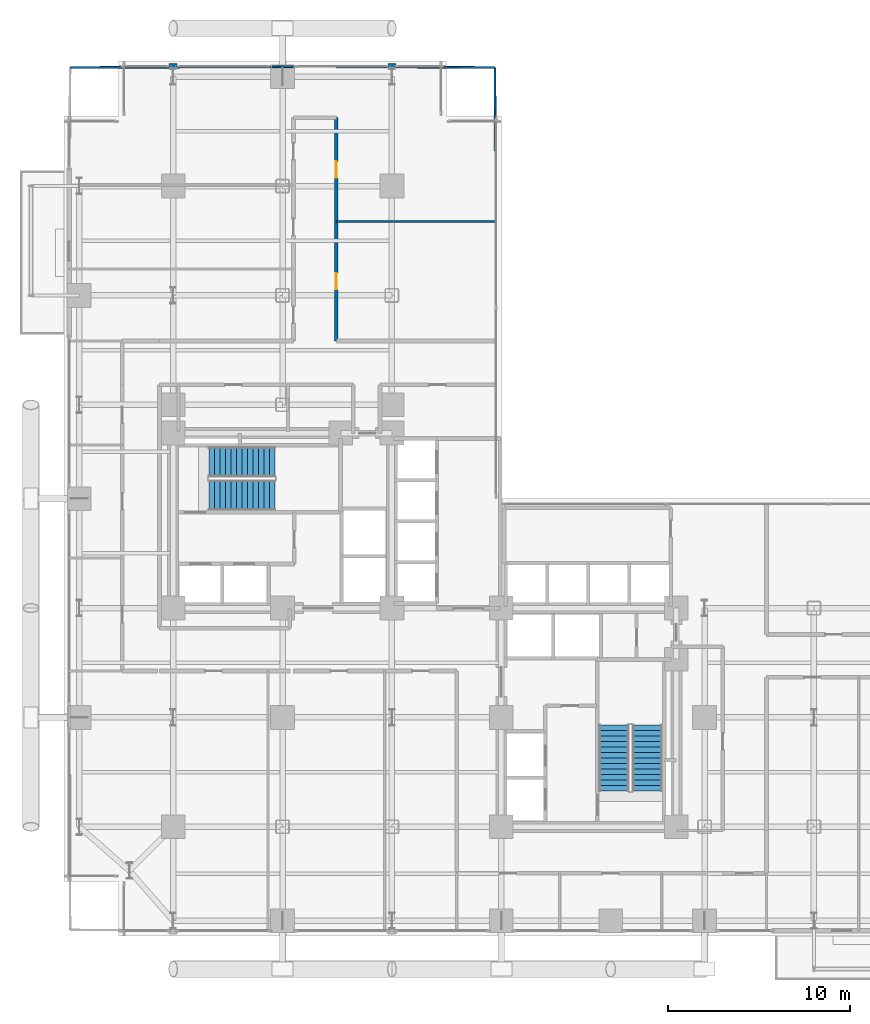
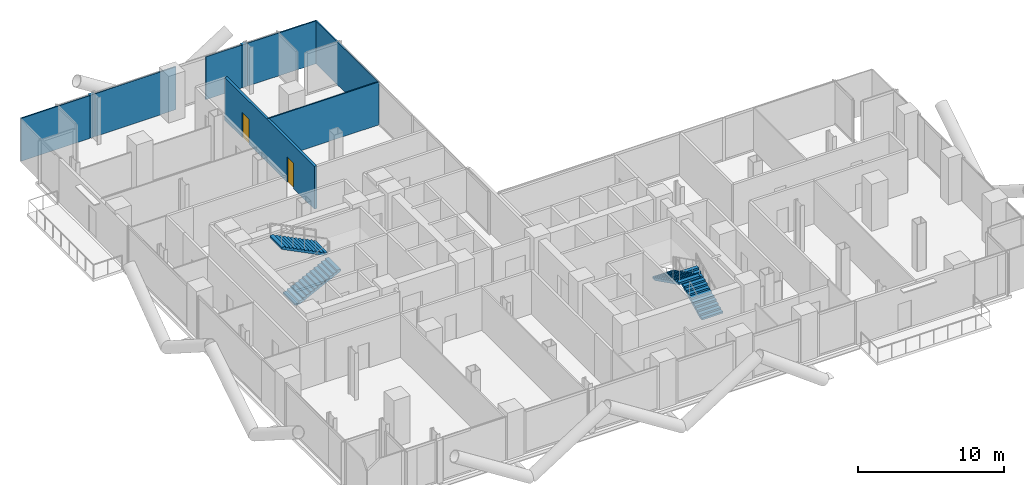
# One storey, part 24 of 27: 9 walls, 4 stair flights, 2 doors, 2 openings, 2 elements without a shape of their own.
"""IFC4 building model written with IfcOpenShell, lengths in metres."""

from ifc_helpers import new_model, si_unit, direction, frame, frame_2d, origin, place, context, subcontext, project, spatial, polyline, rectangle, outline, extrude, material, layer, layer_set, type_object, element, fill, aggregate, save


model = new_model("IFC4")

# Units and contexts
model_context = context("Model", 3, precision=1e-05, world=origin(), true_north=direction((0.0, 1.0)))
body_context = subcontext(model_context, "Body", "Model", "MODEL_VIEW")
ifc_project = project(units=[si_unit("LENGTHUNIT", "METRE"), si_unit("AREAUNIT", "SQUARE_METRE"), si_unit("VOLUMEUNIT", "CUBIC_METRE"), si_unit("PLANEANGLEUNIT", "RADIAN"), si_unit("MASSUNIT", "GRAM", prefix="KILO"), si_unit("THERMODYNAMICTEMPERATUREUNIT", "KELVIN"), si_unit("POWERUNIT", "WATT")], contexts=[model_context])

# Site, building, storey
site_placement = place(None, origin())
site = spatial("IfcSite", under=ifc_project, at=site_placement, CompositionType="ELEMENT")
building_placement = place(site_placement, origin())
building = spatial("IfcBuilding", under=site, at=building_placement, Name="Svarakhadi Broadcast Tower", CompositionType="ELEMENT")
storey_placement = place(building_placement, frame((0.0, 0.0, 90.89990234375)))
storey = spatial("IfcBuildingStorey", under=building, at=storey_placement, Name="L21", CompositionType="ELEMENT", Elevation=90.89990234375)

# Walls
ifc_material_1 = material(Name="Concrete C40/50 (IS 456 M50)", Category="concrete")
ifc_layer_1 = layer(ifc_material_1, 0.239990234375)
ifc_layer_set_1 = layer_set([ifc_layer_1], Name="Concrete C40/50 (IS 456 M50)")
wall_type_1 = type_object("IfcWallType", Name="Wall_Ext_240", PredefinedType="SOLIDWALL", material=ifc_layer_set_1)
for number, where, z_axis, x_axis, name in (
    (1, (5.784912109375, 47.760009765625, 0.0), (0.0, 0.0, 1.0), (1.0, 0.0, 0.0), "L21 Perimeter Bronze Spandrel Closure Wall 01"),
    (2, (17.784912109375, 47.760009765625, 0.0), (0.0, 0.0, 1.0), (1.0, 0.0, 0.0), "L21 Perimeter Bronze Spandrel Closure Wall 02"),
):
    element("IfcWall", number, at=place(storey_placement, frame(where, z_axis=z_axis, x_axis=x_axis)), inside=storey, type_object=wall_type_1, Name=name, PredefinedType="SOLIDWALL", context=body_context, shape_type="SweptSolid", body=[
        extrude(rectangle(XDim=0.43017578125, YDim=0.239990234375, at=frame_2d((0.215087890625, 0.0))), origin(), (0.0, 0.0, 1.0), 3.5751953125),
    ])

# Wall, openings, doors
ifc_layer_2 = layer(ifc_material_1, 0.199951171875)
ifc_layer_set_2 = layer_set([ifc_layer_2], Name="Concrete C40/50 (IS 456 M50)")
wall_type_2 = type_object("IfcWallType", Name="Wall_Fire_200", PredefinedType="SOLIDWALL", material=ifc_layer_set_2)
wall_1_placement = place(storey_placement, frame((14.949951171875, 44.89990234375, 0.0), z_axis=(0.0, 0.0, 1.0), x_axis=(0.0, -1.0, 0.0)))
wall_1 = element("IfcWall", 3, at=wall_1_placement, inside=storey, type_object=wall_type_2, Name="L21 Broadcast Corridor Wall", PredefinedType="SOLIDWALL", context=body_context, shape_type="SweptSolid", body=[
    extrude(rectangle(XDim=12.25, YDim=0.199951171875, at=frame_2d((6.125, 0.0))), origin(), (0.0, 0.0, 1.0), 3.5751953125),
])
opening_1_placement = place(wall_1_placement, frame((8.52490234375, 0.0, 0.0)))
opening_1 = element("IfcOpeningElement", 4, at=opening_1_placement, cuts=wall_1, Name="Opening D-15", PredefinedType="OPENING", context=body_context, shape_type="SweptSolid", body=[
    extrude(rectangle(XDim=0.89990234375, YDim=2.10009765625, at=frame_2d((0.449951171875, 1.050048828125))), frame((0.0, 0.10986328125, 0.0), z_axis=(0.0, -1.0, 0.0), x_axis=(1.0, 0.0, 0.0)), (0.0, 0.0, 1.0), 0.219970703125),
])
opening_2_placement = place(wall_1_placement, frame((2.39990234375, 0.0, 0.0)))
opening_2 = element("IfcOpeningElement", 5, at=opening_2_placement, cuts=wall_1, Name="Opening D-14", PredefinedType="OPENING", context=body_context, shape_type="SweptSolid", body=[
    extrude(rectangle(XDim=0.89990234375, YDim=2.10009765625, at=frame_2d((0.449951171875, 1.050048828125))), frame((0.0, 0.10986328125, 0.0), z_axis=(0.0, -1.0, 0.0), x_axis=(1.0, 0.0, 0.0)), (0.0, 0.0, 1.0), 0.219970703125),
])
ifc_material_2 = material(Name="Solid-Core Teak Veneer Acoustic Timber Leaf", Category="wood")
door_type_1 = type_object("IfcDoorType", Name="Door_Int_D14", OperationType="SINGLE_SWING_LEFT", PredefinedType="DOOR", material=ifc_material_2)
door_1_placement = place(opening_2_placement, origin())
door_1 = element("IfcDoor", 6, at=door_1_placement, inside=storey, type_object=door_type_1, Name="L21 VIP Protocol Office Door", OperationType="SINGLE_SWING_LEFT", OverallHeight=2.10009765625, OverallWidth=0.89990234375, PredefinedType="DOOR", context=body_context, shape_type="SweptSolid", body=[
    extrude(rectangle(XDim=0.89990234375, YDim=2.10009765625, at=frame_2d((0.449951171875, 1.050048828125))), frame((0.0, 0.02490234375, 0.0), z_axis=(0.0, -1.0, 0.0), x_axis=(1.0, 0.0, 0.0)), (0.0, 0.0, 1.0), 0.050048828125),
])
fill(opening_2, door_1)
door_type_2 = type_object("IfcDoorType", Name="Door_Int_D15", OperationType="SINGLE_SWING_RIGHT", PredefinedType="DOOR", material=ifc_material_2)
door_2_placement = place(opening_1_placement, origin())
door_2 = element("IfcDoor", 7, at=door_2_placement, inside=storey, type_object=door_type_2, Name="L21 Talent Relations Lounge Door", OperationType="SINGLE_SWING_RIGHT", OverallHeight=2.10009765625, OverallWidth=0.89990234375, PredefinedType="DOOR", context=body_context, shape_type="SweptSolid", body=[
    extrude(rectangle(XDim=0.89990234375, YDim=2.10009765625, at=frame_2d((0.449951171875, 1.050048828125))), frame((0.0, 0.02490234375, 0.0), z_axis=(0.0, -1.0, 0.0), x_axis=(1.0, 0.0, 0.0)), (0.0, 0.0, 1.0), 0.050048828125),
])
fill(opening_1, door_2)

# Walls
ifc_material_3 = material(Name="Fire-Rated Moisture-Resistant Gypsum Board Partition", Category="gypsum")
ifc_layer_3 = layer(ifc_material_3, 0.10009765625)
ifc_layer_set_3 = layer_set([ifc_layer_3], Name="Fire-Rated Moisture-Resistant Gypsum Board Partition")
wall_type_3 = type_object("IfcWallType", Name="Wall_Part_100", PredefinedType="PARTITIONING", material=ifc_layer_set_3)
wall_2_placement = place(storey_placement, frame((0.35009765625, 47.64990234375, 0.0), z_axis=(0.0, 0.0, 1.0), x_axis=(0.999991644778, 0.004087832518, 0.0)))
element("IfcWall", 8, at=wall_2_placement, inside=storey, type_object=wall_type_3, Name="L21 Compliance Registry Store Wall", PredefinedType="PARTITIONING", context=body_context, shape_type="SweptSolid", body=[
    extrude(rectangle(XDim=5.434814453125, YDim=0.10009765625, at=frame_2d((2.71728515625, 0.0))), origin(), (0.0, 0.0, 1.0), 3.5751953125),
])
wall_3_placement = place(storey_placement, frame((6.215087890625, 47.673828125, 0.0), z_axis=(0.0, 0.0, 1.0), x_axis=(0.999991630701, 0.004091274595, 0.0)))
element("IfcWall", 9, at=wall_3_placement, inside=storey, type_object=wall_type_3, Name="L21 Compliance Registry Store Wall", PredefinedType="PARTITIONING", context=body_context, shape_type="SweptSolid", body=[
    extrude(rectangle(XDim=6.385009765625, YDim=0.10009765625, at=frame_2d((3.1923828125, 0.0))), origin(), (0.0, 0.0, 1.0), 3.5751953125),
])
wall_4_placement = place(storey_placement, frame((14.949951171875, 39.199951171875, 0.0), z_axis=(0.0, 0.0, 1.0), x_axis=(1.0, 0.0, 0.0)))
element("IfcWall", 10, at=wall_4_placement, inside=storey, type_object=wall_type_3, Name="L21 Talent Relations Lounge Wall", PredefinedType="PARTITIONING", context=body_context, shape_type="SweptSolid", body=[
    extrude(rectangle(XDim=8.75, YDim=0.10009765625, at=frame_2d((4.375, 0.0))), origin(), (0.0, 0.0, 1.0), 3.5751953125),
])
wall_5_placement = place(storey_placement, frame((14.949951171875, 47.699951171875, 0.0), z_axis=(0.0, 0.0, 1.0), x_axis=(0.999983354582, -0.005769797172, 0.0)))
element("IfcWall", 11, at=wall_5_placement, inside=storey, type_object=wall_type_3, Name="L21 VIP Protocol Office Wall", PredefinedType="PARTITIONING", context=body_context, shape_type="SweptSolid", body=[
    extrude(rectangle(XDim=2.8349609375, YDim=0.10009765625, at=frame_2d((1.41748046875, 0.0))), origin(), (0.0, 0.0, 1.0), 3.5751953125),
])
wall_6_placement = place(storey_placement, frame((18.215087890625, 47.68115234375, 0.0), z_axis=(0.0, 0.0, 1.0), x_axis=(0.999983469354, -0.005749871258, 0.0)))
element("IfcWall", 12, at=wall_6_placement, inside=storey, type_object=wall_type_3, Name="L21 VIP Protocol Office Wall", PredefinedType="PARTITIONING", context=body_context, shape_type="SweptSolid", body=[
    extrude(rectangle(XDim=5.434814453125, YDim=0.10009765625, at=frame_2d((2.71728515625, 0.0))), origin(), (0.0, 0.0, 1.0), 3.5751953125),
])
wall_7_placement = place(storey_placement, frame((23.699951171875, 39.199951171875, 0.0), z_axis=(0.0, 0.0, 1.0), x_axis=(-0.005922868574, 0.99998245966, 0.0)))
element("IfcWall", 13, at=wall_7_placement, inside=storey, type_object=wall_type_3, Name="L21 VIP Protocol Office Wall", PredefinedType="PARTITIONING", context=body_context, shape_type="SweptSolid", body=[
    extrude(rectangle(XDim=8.4501953125, YDim=0.10009765625, at=frame_2d((4.22509765625, 0.0))), origin(), (0.0, 0.0, 1.0), 3.5751953125),
])

# Stair, stair flights
stair_type = type_object("IfcStairType", Name="Stair_Exit_Core", PredefinedType="HALF_TURN_STAIR", material=ifc_material_1)
stair_1_placement = place(storey_placement, origin())
stair_1 = element("IfcStair", 14, at=stair_1_placement, inside=storey, type_object=stair_type, Name="L21 West Core Protected Exit Stair ST-01", PredefinedType="HALF_TURN_STAIR")
stair_flight_type = type_object("IfcStairFlightType", Name="Flight_RC_1680", PredefinedType="STRAIGHT", material=ifc_material_1)
stair_flight_1_placement = place(storey_placement, frame((7.97998046875, 24.18994140625, 0.0), z_axis=(0.0, 0.0, 1.0), x_axis=(1.0, 0.0, 0.0)))
stair_flight_1 = element("IfcStairFlight", 15, at=stair_flight_1_placement, type_object=stair_flight_type, Name="ST-01 flight 1", NumberOfRisers=13, NumberOfTreads=12, PredefinedType="STRAIGHT", RiserHeight=0.15, TreadLength=0.3, context=body_context, shape_type="SweptSolid", body=[
    extrude(outline(polyline([(0.0, 0.0), (0.0, 0.14990234375), (0.300048828125, 0.14990234375), (0.300048828125, 0.300048828125), (0.60009765625, 0.300048828125), (0.60009765625, 0.449951171875), (0.89990234375, 0.449951171875), (0.89990234375, 0.60009765625), (1.199951171875, 0.60009765625), (1.199951171875, 0.75), (1.5, 0.75), (1.5, 0.89990234375), (1.800048828125, 0.89990234375), (1.800048828125, 1.050048828125), (2.10009765625, 1.050048828125), (2.10009765625, 1.199951171875), (2.39990234375, 1.199951171875), (2.39990234375, 1.35009765625), (2.699951171875, 1.35009765625), (2.699951171875, 1.5), (3.0, 1.5), (3.0, 1.64990234375), (3.300048828125, 1.64990234375), (3.300048828125, 1.800048828125), (3.60009765625, 1.800048828125), (3.60009765625, 1.949951171875), (3.60009765625, 1.63232421875), (0.335205078125, 0.0), (0.0, 0.0)])), frame((0.0, 0.830078125, 0.0), z_axis=(0.0, -1.0, 0.0), x_axis=(1.0, 0.0, 0.0)), (0.0, 0.0, 1.0), 1.659912109375),
])
stair_flight_2_placement = place(storey_placement, frame((11.580078125, 26.010009765625, 1.9501953125), z_axis=(0.0, 0.0, 1.0), x_axis=(-1.0, 0.0, 0.0)))
stair_flight_2 = element("IfcStairFlight", 16, at=stair_flight_2_placement, type_object=stair_flight_type, Name="ST-01 flight 2", NumberOfRisers=13, NumberOfTreads=12, PredefinedType="STRAIGHT", RiserHeight=0.15, TreadLength=0.3, context=body_context, shape_type="SweptSolid", body=[
    extrude(outline(polyline([(0.0, 0.0), (0.0, 0.14990234375), (0.300048828125, 0.14990234375), (0.300048828125, 0.300048828125), (0.60009765625, 0.300048828125), (0.60009765625, 0.449951171875), (0.89990234375, 0.449951171875), (0.89990234375, 0.60009765625), (1.199951171875, 0.60009765625), (1.199951171875, 0.75), (1.5, 0.75), (1.5, 0.89990234375), (1.800048828125, 0.89990234375), (1.800048828125, 1.050048828125), (2.10009765625, 1.050048828125), (2.10009765625, 1.199951171875), (2.39990234375, 1.199951171875), (2.39990234375, 1.35009765625), (2.699951171875, 1.35009765625), (2.699951171875, 1.5), (3.0, 1.5), (3.0, 1.64990234375), (3.300048828125, 1.64990234375), (3.300048828125, 1.800048828125), (3.60009765625, 1.800048828125), (3.60009765625, 1.949951171875), (3.60009765625, 1.63232421875), (0.335205078125, 0.0), (0.0, 0.0)])), frame((0.0, 0.830078125, 0.0), z_axis=(0.0, -1.0, 0.0), x_axis=(1.0, 0.0, 0.0)), (0.0, 0.0, 1.0), 1.659912109375),
])
aggregate(stair_1, [stair_flight_1, stair_flight_2])

stair_2_placement = place(storey_placement, origin())
stair_2 = element("IfcStair", 17, at=stair_2_placement, inside=storey, type_object=stair_type, Name="L21 East Core Protected Exit Stair ST-02", PredefinedType="HALF_TURN_STAIR")
stair_flight_3_placement = place(storey_placement, frame((32.010009765625, 7.97998046875, 0.0), z_axis=(0.0, 0.0, 1.0), x_axis=(0.0, 1.0, 0.0)))
stair_flight_3 = element("IfcStairFlight", 18, at=stair_flight_3_placement, type_object=stair_flight_type, Name="ST-02 flight 1", NumberOfRisers=13, NumberOfTreads=12, PredefinedType="STRAIGHT", RiserHeight=0.15, TreadLength=0.3, context=body_context, shape_type="SweptSolid", body=[
    extrude(outline(polyline([(0.0, 0.0), (0.0, 0.14990234375), (0.300048828125, 0.14990234375), (0.300048828125, 0.300048828125), (0.60009765625, 0.300048828125), (0.60009765625, 0.449951171875), (0.89990234375, 0.449951171875), (0.89990234375, 0.60009765625), (1.199951171875, 0.60009765625), (1.199951171875, 0.75), (1.5, 0.75), (1.5, 0.89990234375), (1.800048828125, 0.89990234375), (1.800048828125, 1.050048828125), (2.10009765625, 1.050048828125), (2.10009765625, 1.199951171875), (2.39990234375, 1.199951171875), (2.39990234375, 1.35009765625), (2.699951171875, 1.35009765625), (2.699951171875, 1.5), (3.0, 1.5), (3.0, 1.64990234375), (3.300048828125, 1.64990234375), (3.300048828125, 1.800048828125), (3.60009765625, 1.800048828125), (3.60009765625, 1.949951171875), (3.60009765625, 1.63232421875), (0.335205078125, 0.0), (0.0, 0.0)])), frame((0.0, 0.830078125, 0.0), z_axis=(0.0, -1.0, 0.0), x_axis=(1.0, 0.0, 0.0)), (0.0, 0.0, 1.0), 1.659912109375),
])
stair_flight_4_placement = place(storey_placement, frame((30.18994140625, 11.580078125, 1.9501953125), z_axis=(0.0, 0.0, 1.0), x_axis=(0.0, -1.0, 0.0)))
stair_flight_4 = element("IfcStairFlight", 19, at=stair_flight_4_placement, type_object=stair_flight_type, Name="ST-02 flight 2", NumberOfRisers=13, NumberOfTreads=12, PredefinedType="STRAIGHT", RiserHeight=0.15, TreadLength=0.3, context=body_context, shape_type="SweptSolid", body=[
    extrude(outline(polyline([(0.0, 0.0), (0.0, 0.14990234375), (0.300048828125, 0.14990234375), (0.300048828125, 0.300048828125), (0.60009765625, 0.300048828125), (0.60009765625, 0.449951171875), (0.89990234375, 0.449951171875), (0.89990234375, 0.60009765625), (1.199951171875, 0.60009765625), (1.199951171875, 0.75), (1.5, 0.75), (1.5, 0.89990234375), (1.800048828125, 0.89990234375), (1.800048828125, 1.050048828125), (2.10009765625, 1.050048828125), (2.10009765625, 1.199951171875), (2.39990234375, 1.199951171875), (2.39990234375, 1.35009765625), (2.699951171875, 1.35009765625), (2.699951171875, 1.5), (3.0, 1.5), (3.0, 1.64990234375), (3.300048828125, 1.64990234375), (3.300048828125, 1.800048828125), (3.60009765625, 1.800048828125), (3.60009765625, 1.949951171875), (3.60009765625, 1.63232421875), (0.335205078125, 0.0), (0.0, 0.0)])), frame((0.0, 0.830078125, 0.0), z_axis=(0.0, -1.0, 0.0), x_axis=(1.0, 0.0, 0.0)), (0.0, 0.0, 1.0), 1.659912109375),
])
aggregate(stair_2, [stair_flight_3, stair_flight_4])

save(model, "model.ifc")
